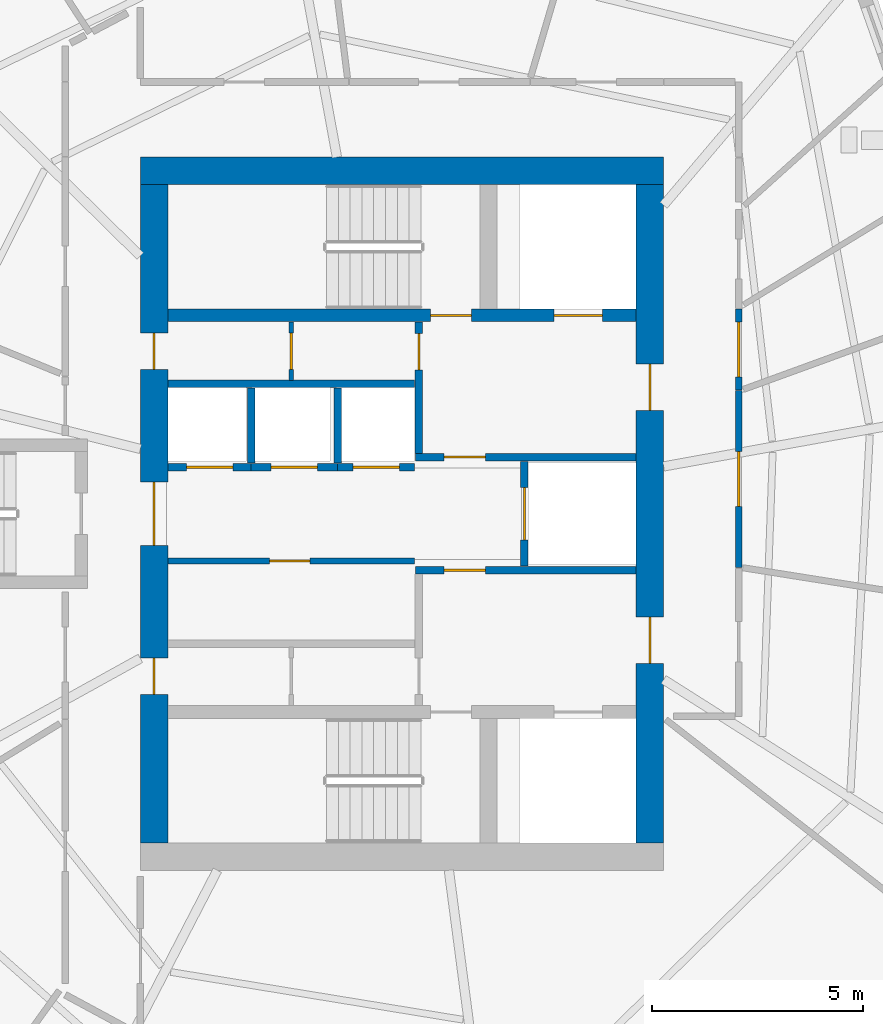
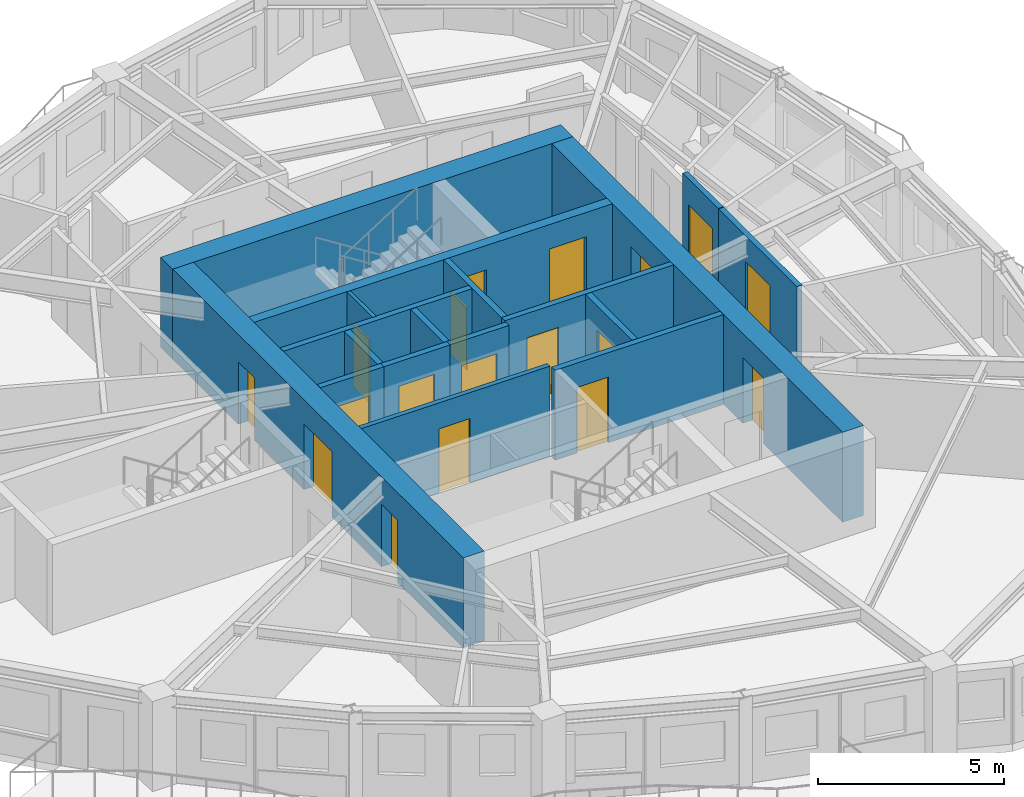
# One storey, part 5 of 12: 18 doors, 18 walls, 18 openings.
"""IFC4 building model written with IfcOpenShell, lengths in metres."""

import ifcopenshell
import ifcopenshell.guid

model = None  # the IFC model being written
_history = None  # IfcOwnerHistory: only IFC2X3 demands one
_inside = {}  # id of a spatial element -> (the spatial element, [elements in it])
_under = {}  # id of a project, library or spatial element -> (it, [spatial elements below it])
_declared = {}  # id of a project -> (the project, [libraries it declares])
_typed = {}  # id of a type object -> (the type object, [elements of that type])
_made_of = {}  # id of a material, layer set ... -> (it, [elements and type objects made of it])


def new_model(schema):
    """Start an empty IFC model of exactly this schema.

    Asked for "IFC4X3", IfcOpenShell would pick the latest addendum, in which some entities
    have other attributes; the version numbers below select the first issue.
    IFC2X3 requires an IfcOwnerHistory on every rooted entity: one is made here for all.
    """
    global model, _history
    if schema == "IFC4X3":
        model = ifcopenshell.file(schema_version=(4, 3, 0, 0))
    else:
        model = ifcopenshell.file(schema=schema)
    _inside.clear()
    _under.clear()
    _declared.clear()
    _typed.clear()
    _made_of.clear()
    _history = None
    if model.schema == "IFC2X3":
        org = make("IfcOrganization", Name="unknown")
        user = make(
            "IfcPersonAndOrganization",
            ThePerson=make("IfcPerson", FamilyName="unknown"),
            TheOrganization=org,
        )
        app = make(
            "IfcApplication",
            ApplicationDeveloper=org,
            Version="unknown",
            ApplicationFullName="unknown",
            ApplicationIdentifier="unknown",
        )
        _history = make(
            "IfcOwnerHistory",
            OwningUser=user,
            OwningApplication=app,
            ChangeAction="ADDED",
            CreationDate=0,
        )
    return model


def make(cls, **values):
    """One entity of the class cls with the attributes given. An attribute that is None is left unset."""
    return model.create_entity(
        cls, **{name: value for name, value in values.items() if value is not None}
    )


def rooted(cls, **values):
    """An entity with a GlobalId (a new one), such as an element, a storey or a relation."""
    return make(cls, GlobalId=ifcopenshell.guid.new(), OwnerHistory=_history, **values)


def si_unit(unit_type, name, prefix=None):
    """IfcSIUnit, for example si_unit("LENGTHUNIT", "METRE", prefix="MILLI")."""
    return make("IfcSIUnit", UnitType=unit_type, Prefix=prefix, Name=name)


def assignment(units):
    """IfcUnitAssignment: the units of a project."""
    return None if units is None else make("IfcUnitAssignment", Units=units)


def point(xyz):
    """IfcCartesianPoint."""
    return None if xyz is None else make("IfcCartesianPoint", Coordinates=xyz)


def direction(xyz):
    """IfcDirection."""
    return None if xyz is None else make("IfcDirection", DirectionRatios=xyz)


def frame(location, z_axis=None, x_axis=None):
    """IfcAxis2Placement3D, a coordinate frame: its origin and axes. An axis left out is left unset."""
    return make(
        "IfcAxis2Placement3D",
        Location=point(location),
        Axis=direction(z_axis),
        RefDirection=direction(x_axis),
    )


def frame_2d(location, x_axis=None):
    """IfcAxis2Placement2D, a coordinate frame in the plane: its origin and x axis."""
    return make(
        "IfcAxis2Placement2D", Location=point(location), RefDirection=direction(x_axis)
    )


def origin():
    """The frame at (0, 0, 0) with its axes left unset."""
    return frame((0.0, 0.0, 0.0))


def place(relative_to, where):
    """IfcLocalPlacement: puts the frame where relative to a parent placement (None: the world)."""
    return make(
        "IfcLocalPlacement", PlacementRelTo=relative_to, RelativePlacement=where
    )


def context(
    kind, dimensions, precision=None, world=None, true_north=None, identifier=None
):
    """IfcGeometricRepresentationContext, for example the 3D "Model" context."""
    return make(
        "IfcGeometricRepresentationContext",
        ContextIdentifier=identifier,
        ContextType=kind,
        CoordinateSpaceDimension=dimensions,
        Precision=precision,
        WorldCoordinateSystem=world,
        TrueNorth=true_north,
    )


def subcontext(parent, identifier, kind, view, scale=None):
    """IfcGeometricRepresentationSubContext, for example "Body" below "Model"."""
    return make(
        "IfcGeometricRepresentationSubContext",
        ContextIdentifier=identifier,
        ContextType=kind,
        ParentContext=parent,
        TargetScale=scale,
        TargetView=view,
    )


def project(units=None, contexts=None):
    """IfcProject with its units and contexts."""
    return rooted(
        "IfcProject",
        Name="project",
        RepresentationContexts=contexts,
        UnitsInContext=assignment(units),
    )


def spatial(cls, under=None, at=None, **own):
    """A site, building, storey or space (cls), placed at a placement, below another one or the project."""
    s = rooted(cls, ObjectPlacement=at, **own)
    if under is not None:
        _under.setdefault(under.id(), (under, []))[1].append(s)
    return s


def profile(cls, at=None, kind="AREA", **sizes):
    """A parametric profile (cls). Its sizes go by their IFC names, for example OverallWidth=200.0."""
    return make(cls, ProfileType=kind, Position=at, **sizes)


def rectangle(**sizes):
    """IfcRectangleProfileDef."""
    return profile("IfcRectangleProfileDef", **sizes)


def extrude(swept, where, along, depth):
    """IfcExtrudedAreaSolid: the profile swept, set in the frame where, extruded along a direction by depth."""
    return make(
        "IfcExtrudedAreaSolid",
        SweptArea=swept,
        Position=where,
        ExtrudedDirection=direction(along),
        Depth=depth,
    )


def shape(context_of_items, identifier, shape_type, items):
    """IfcShapeRepresentation: the items that make up one representation, for example the "Body"."""
    return make(
        "IfcShapeRepresentation",
        ContextOfItems=context_of_items,
        RepresentationIdentifier=identifier,
        RepresentationType=shape_type,
        Items=items,
    )


def source(mapping_origin, context_of_items, identifier, shape_type, items):
    """IfcRepresentationMap: a shape defined once, which mapped items show again and again."""
    return make(
        "IfcRepresentationMap",
        MappingOrigin=mapping_origin,
        MappedRepresentation=shape(context_of_items, identifier, shape_type, items),
    )


def transform(
    local_origin,
    x_axis=None,
    y_axis=None,
    z_axis=None,
    scale=None,
    scale2=None,
    scale3=None,
    uniform=True,
):
    """IfcCartesianTransformationOperator3D, or its non-uniform kind. x_axis, y_axis, z_axis: its Axis1, 2, 3."""
    if uniform:
        return make(
            "IfcCartesianTransformationOperator3D",
            Axis1=direction(x_axis),
            Axis2=direction(y_axis),
            LocalOrigin=point(local_origin),
            Scale=scale,
            Axis3=direction(z_axis),
        )
    return make(
        "IfcCartesianTransformationOperator3DnonUniform",
        Axis1=direction(x_axis),
        Axis2=direction(y_axis),
        LocalOrigin=point(local_origin),
        Scale=scale,
        Axis3=direction(z_axis),
        Scale2=scale2,
        Scale3=scale3,
    )


def mapped(mapping_source, mapping_target):
    """IfcMappedItem: shows the shape of a source again, moved by a transform."""
    return make(
        "IfcMappedItem", MappingSource=mapping_source, MappingTarget=mapping_target
    )


def material(Name=None, Category=None):
    """IfcMaterial."""
    return make("IfcMaterial", Name=Name, Category=Category)


def layer(
    of_material, thickness, ventilated=None, Name=None, Category=None, Priority=None
):
    """IfcMaterialLayer: one layer of a wall or slab, of a material (None: an air gap)."""
    return make(
        "IfcMaterialLayer",
        Material=of_material,
        LayerThickness=thickness,
        IsVentilated=ventilated,
        Name=Name,
        Category=Category,
        Priority=Priority,
    )


def layer_set(layers, Name=None):
    """IfcMaterialLayerSet."""
    return make("IfcMaterialLayerSet", MaterialLayers=layers, LayerSetName=Name)


def made_of(thing, what):
    """Note that an element or type object is made of a material, layer set ...; save() writes the relation."""
    if what is not None:
        _made_of.setdefault(what.id(), (what, []))[1].append(thing)
    return thing


def type_object(cls, material=None, **own):
    """A type object (cls), such as IfcWallType, which elements share."""
    return made_of(rooted(cls, **own), material)


def element(
    cls,
    number,
    at=None,
    inside=None,
    cuts=None,
    type_object=None,
    material=None,
    context=None,
    identifier="Body",
    shape_type=None,
    held_by="IfcProductDefinitionShape",
    body=None,
    shapes=None,
    **own,
):
    """One element of the class cls, such as IfcWall. Its Tag is "e" and its number.

    at: its placement. inside: the storey or other place that contains it. cuts: it is an
    opening in that element (IfcRelVoidsElement). A single representation is given by context,
    identifier, shape_type and body (its items); several are given by shapes. held_by: the class
    of the entity that holds the representations. save() writes the other relations.
    """
    e = rooted(cls, Tag="e%d" % number, ObjectPlacement=at, **own)
    if body is not None:
        shapes = [shape(context, identifier, shape_type, body)]
    if shapes is not None:
        e.Representation = make(held_by, Representations=shapes)
    if inside is not None:
        _inside.setdefault(inside.id(), (inside, []))[1].append(e)
    if cuts is not None:
        rooted(
            "IfcRelVoidsElement", RelatingBuildingElement=cuts, RelatedOpeningElement=e
        )
    if type_object is not None:
        _typed.setdefault(type_object.id(), (type_object, []))[1].append(e)
    return made_of(e, material)


def fill(opening, filler):
    """IfcRelFillsElement: the door or window that sits in an opening."""
    return rooted(
        "IfcRelFillsElement",
        RelatingOpeningElement=opening,
        RelatedBuildingElement=filler,
    )


def aggregate(whole, parts):
    """IfcRelAggregates: a whole, such as a stair, and the parts it consists of."""
    return rooted("IfcRelAggregates", RelatingObject=whole, RelatedObjects=parts)


def save(model, path):
    """Write the relations noted so far, then the file.

    IfcRelAggregates (storeys below a building ...), IfcRelContainedInSpatialStructure (elements
    in a storey), IfcRelDefinesByType, IfcRelAssociatesMaterial and IfcRelDeclares: one each for
    every whole, place, type object, material and project.
    """
    for whole, parts in _under.values():
        aggregate(whole, parts)
    for where, things in _inside.values():
        rooted(
            "IfcRelContainedInSpatialStructure",
            RelatedElements=things,
            RelatingStructure=where,
        )
    for kind, things in _typed.values():
        rooted("IfcRelDefinesByType", RelatedObjects=things, RelatingType=kind)
    for what, things in _made_of.values():
        rooted("IfcRelAssociatesMaterial", RelatedObjects=things, RelatingMaterial=what)
    for by, libraries in _declared.values():
        rooted("IfcRelDeclares", RelatingContext=by, RelatedDefinitions=libraries)
    model.write(path)


model = new_model("IFC4")

# Units and contexts
model_context = context("Model", 3, precision=1e-05, world=origin(), true_north=direction((0.0, 1.0)))
body_context = subcontext(model_context, "Body", "Model", "MODEL_VIEW")
ifc_project = project(units=[si_unit("LENGTHUNIT", "METRE"), si_unit("AREAUNIT", "SQUARE_METRE"), si_unit("VOLUMEUNIT", "CUBIC_METRE"), si_unit("PLANEANGLEUNIT", "RADIAN"), si_unit("MASSUNIT", "GRAM", prefix="KILO")], contexts=[model_context])

# Site, building, storey
site_placement = place(None, origin())
site = spatial("IfcSite", under=ifc_project, at=site_placement, CompositionType="ELEMENT")
building_placement = place(site_placement, origin())
building = spatial("IfcBuilding", under=site, at=building_placement, Name="Qafzar Sky-Pleat Residences", CompositionType="ELEMENT")
storey_placement = place(building_placement, frame((0.0, 0.0, 171.39990234375)))
storey = spatial("IfcBuildingStorey", under=building, at=storey_placement, Name="L51", CompositionType="ELEMENT", Elevation=171.39990234375)

# Wall, opening, door
ifc_material_1 = material(Name="Acoustic gypsum plasterboard partition", Category="gypsum")
ifc_layer_1 = layer(ifc_material_1, 0.159912109375)
ifc_layer_set_1 = layer_set([ifc_layer_1], Name="Acoustic gypsum plasterboard partition")
wall_type_1 = type_object("IfcWallType", Name="PART-COR-160", PredefinedType="PARTITIONING", material=ifc_layer_set_1)
wall_1_placement = place(storey_placement, frame((38.330078125, 28.9208984375, 0.0), z_axis=(0.0, 0.0, 1.0), x_axis=(0.0, -1.0, 0.0)))
wall_1 = element("IfcWall", 1, at=wall_1_placement, inside=storey, type_object=wall_type_1, Name="L51 Partition Wall PART-L51-PW-005", PredefinedType="PARTITIONING", context=body_context, shape_type="SweptSolid", body=[
    extrude(rectangle(XDim=4.200927734375, YDim=0.159912109375, at=frame_2d((2.1005859375, 0.0))), origin(), (0.0, 0.0, 1.0), 2.9501953125),
])
opening_1_placement = place(wall_1_placement, frame((1.450927734375, 0.0, 0.0)))
opening_1 = element("IfcOpeningElement", 2, at=opening_1_placement, cuts=wall_1, Name="Opening ID-05", PredefinedType="OPENING", context=body_context, shape_type="SweptSolid", body=[
    extrude(rectangle(XDim=1.300048828125, YDim=2.10009765625, at=frame_2d((0.64990234375, 1.050048828125))), frame((0.0, 0.08984375, 0.0), z_axis=(0.0, -1.0, 0.0), x_axis=(1.0, 0.0, 0.0)), (0.0, 0.0, 1.0), 0.179931640625),
])
ifc_material_2 = material(Name="Timber-faced fire door", Category="wood")
door_type_1 = type_object("IfcDoorType", Name="DR-LNG-1300", OperationType="DOUBLE_DOOR_SINGLE_SWING", PredefinedType="DOOR", material=ifc_material_2)
shared_shape_1 = source(origin(), body_context, "Body", "SweptSolid", [
    extrude(rectangle(XDim=1.300048828125, YDim=2.10009765625, at=frame_2d((0.64990234375, 1.050048828125))), frame((0.0, 0.02490234375, 0.0), z_axis=(0.0, -1.0, 0.0), x_axis=(1.0, 0.0, 0.0)), (0.0, 0.0, 1.0), 0.050048828125),
])
door_1_placement = place(opening_1_placement, origin())
door_1 = element("IfcDoor", 3, at=door_1_placement, inside=storey, type_object=door_type_1, Name="L51 Co-Living Lounge Door", OperationType="DOUBLE_DOOR_SINGLE_SWING", OverallHeight=2.10009765625, OverallWidth=1.300048828125, PredefinedType="DOOR", context=body_context, shape_type="MappedRepresentation", body=[
    mapped(shared_shape_1, transform((0.0, 0.0, 0.0), x_axis=(1.0, 0.0, 0.0), y_axis=(0.0, 1.0, 0.0), z_axis=(0.0, 0.0, 1.0), scale=1.0)),
])
fill(opening_1, door_1)

wall_2_placement = place(storey_placement, frame((38.330078125, 30.847900390625, 0.0), z_axis=(0.0, 0.0, 1.0), x_axis=(0.0, -1.0, 0.0)))
wall_2 = element("IfcWall", 4, at=wall_2_placement, inside=storey, type_object=wall_type_1, Name="L51 Partition Wall PART-L51-PW-011", PredefinedType="PARTITIONING", context=body_context, shape_type="SweptSolid", body=[
    extrude(rectangle(XDim=1.911865234375, YDim=0.159912109375, at=frame_2d((0.9560546875, 0.0))), origin(), (0.0, 0.0, 1.0), 2.9501953125),
])
opening_2_placement = place(wall_2_placement, frame((0.304931640625, 0.0, 0.0)))
opening_2 = element("IfcOpeningElement", 5, at=opening_2_placement, cuts=wall_2, Name="Opening ID-05", PredefinedType="OPENING", context=body_context, shape_type="SweptSolid", body=[
    extrude(rectangle(XDim=1.300048828125, YDim=2.10009765625, at=frame_2d((0.64990234375, 1.050048828125))), frame((0.0, 0.08984375, 0.0), z_axis=(0.0, -1.0, 0.0), x_axis=(1.0, 0.0, 0.0)), (0.0, 0.0, 1.0), 0.179931640625),
])
door_2_placement = place(opening_2_placement, origin())
door_2 = element("IfcDoor", 6, at=door_2_placement, inside=storey, type_object=door_type_1, Name="L51 Scholar Study Room Door", OperationType="DOUBLE_DOOR_SINGLE_SWING", OverallHeight=2.10009765625, OverallWidth=1.300048828125, PredefinedType="DOOR", context=body_context, shape_type="MappedRepresentation", body=[
    mapped(shared_shape_1, transform((0.0, 0.0, 0.0), x_axis=(1.0, 0.0, 0.0), y_axis=(0.0, 1.0, 0.0), z_axis=(0.0, 0.0, 1.0), scale=1.0)),
])
fill(opening_2, door_2)

ifc_material_3 = material(Name="Concrete blockwork partition", Category="masonry")
ifc_layer_2 = layer(ifc_material_3, 0.179931640625)
ifc_layer_set_2 = layer_set([ifc_layer_2], Name="Concrete blockwork partition")
wall_type_2 = type_object("IfcWallType", Name="PART-SHAFT-180", PredefinedType="PARTITIONING", material=ifc_layer_set_2)
wall_3_placement = place(storey_placement, frame((30.669921875, 24.659912109375, 0.0), z_axis=(0.0, 0.0, 1.0), x_axis=(1.0, 0.0, 0.0)))
wall_3 = element("IfcWall", 7, at=wall_3_placement, inside=storey, type_object=wall_type_2, Name="L51 Partition Wall PART-L51-FFL1-N", PredefinedType="PARTITIONING", context=body_context, shape_type="SweptSolid", body=[
    extrude(rectangle(XDim=5.219970703125, YDim=0.179931640625, at=frame_2d((2.60986328125, 0.0))), origin(), (0.0, 0.0, 1.0), 2.9501953125),
])
opening_3_placement = place(wall_3_placement, frame((0.679931640625, 0.0, 0.0)))
opening_3 = element("IfcOpeningElement", 8, at=opening_3_placement, cuts=wall_3, Name="Opening ID-01", PredefinedType="OPENING", context=body_context, shape_type="SweptSolid", body=[
    extrude(rectangle(XDim=0.97998046875, YDim=2.14990234375, at=frame_2d((0.489990234375, 1.074951171875))), frame((0.0, 0.10009765625, 0.0), z_axis=(0.0, -1.0, 0.0), x_axis=(1.0, 0.0, 0.0)), (0.0, 0.0, 1.0), 0.199951171875),
])
door_type_2 = type_object("IfcDoorType", Name="DR-STAIR-980", OperationType="NOTDEFINED", PredefinedType="DOOR", material=ifc_material_2)
shared_shape_2 = source(origin(), body_context, "Body", "SweptSolid", [
    extrude(rectangle(XDim=0.97998046875, YDim=2.14990234375, at=frame_2d((0.489990234375, 1.074951171875))), frame((0.0, 0.02490234375, 0.0), z_axis=(0.0, -1.0, 0.0), x_axis=(1.0, 0.0, 0.0)), (0.0, 0.0, 1.0), 0.050048828125),
])
door_3_placement = place(opening_3_placement, origin())
door_3 = element("IfcDoor", 9, at=door_3_placement, inside=storey, type_object=door_type_2, Name="L51 Lift Lobby to South Firefighting Lobby Door", OperationType="SINGLE_SWING_LEFT", OverallHeight=2.14990234375, OverallWidth=0.97998046875, PredefinedType="DOOR", context=body_context, shape_type="MappedRepresentation", body=[
    mapped(shared_shape_2, transform((0.0, 0.0, 0.0), x_axis=(1.0, 0.0, 0.0), y_axis=(0.0, 1.0, 0.0), z_axis=(0.0, 0.0, 1.0), scale=1.0)),
])
fill(opening_3, door_3)

wall_4_placement = place(storey_placement, frame((30.75, 27.429931640625, 0.0), z_axis=(0.0, 0.0, 1.0), x_axis=(0.0, 1.0, 0.0)))
wall_4 = element("IfcWall", 10, at=wall_4_placement, inside=storey, type_object=wall_type_2, Name="L51 Partition Wall PART-L51-FFL2-W", PredefinedType="PARTITIONING", context=body_context, shape_type="SweptSolid", body=[
    extrude(rectangle(XDim=3.110107421875, YDim=0.179931640625, at=frame_2d((1.55517578125, 0.0))), origin(), (0.0, 0.0, 1.0), 2.9501953125),
])
opening_4_placement = place(wall_4_placement, frame((1.97998046875, 0.0, 0.0)))
opening_4 = element("IfcOpeningElement", 11, at=opening_4_placement, cuts=wall_4, Name="Opening ID-09", PredefinedType="OPENING", context=body_context, shape_type="SweptSolid", body=[
    extrude(rectangle(XDim=0.860107421875, YDim=2.050048828125, at=frame_2d((0.43017578125, 1.02490234375))), frame((0.0, 0.10009765625, 0.0), z_axis=(0.0, -1.0, 0.0), x_axis=(1.0, 0.0, 0.0)), (0.0, 0.0, 1.0), 0.199951171875),
])
door_type_3 = type_object("IfcDoorType", Name="DR-SVC-860", OperationType="NOTDEFINED", PredefinedType="DOOR", material=ifc_material_2)
shared_shape_3 = source(origin(), body_context, "Body", "SweptSolid", [
    extrude(rectangle(XDim=0.860107421875, YDim=2.050048828125, at=frame_2d((0.43017578125, 1.02490234375))), frame((0.0, 0.02490234375, 0.0), z_axis=(0.0, -1.0, 0.0), x_axis=(1.0, 0.0, 0.0)), (0.0, 0.0, 1.0), 0.050048828125),
])
door_4_placement = place(opening_4_placement, origin())
door_4 = element("IfcDoor", 12, at=door_4_placement, inside=storey, type_object=door_type_3, Name="L51 North Core Cupboard Door", OperationType="SINGLE_SWING_RIGHT", OverallHeight=2.050048828125, OverallWidth=0.860107421875, PredefinedType="DOOR", context=body_context, shape_type="MappedRepresentation", body=[
    mapped(shared_shape_3, transform((0.0, 0.0, 0.0), x_axis=(1.0, 0.0, 0.0), y_axis=(0.0, 1.0, 0.0), z_axis=(0.0, 0.0, 1.0), scale=1.0)),
])
fill(opening_4, door_4)

wall_5_placement = place(storey_placement, frame((30.669921875, 27.340087890625, 0.0), z_axis=(0.0, 0.0, 1.0), x_axis=(1.0, 0.0, 0.0)))
wall_5 = element("IfcWall", 13, at=wall_5_placement, inside=storey, type_object=wall_type_2, Name="L51 Partition Wall PART-L51-FFL2-S", PredefinedType="PARTITIONING", context=body_context, shape_type="SweptSolid", body=[
    extrude(rectangle(XDim=5.219970703125, YDim=0.179931640625, at=frame_2d((2.60986328125, 0.0))), origin(), (0.0, 0.0, 1.0), 2.9501953125),
])
opening_5_placement = place(wall_5_placement, frame((0.679931640625, 0.0, 0.0)))
opening_5 = element("IfcOpeningElement", 14, at=opening_5_placement, cuts=wall_5, Name="Opening ID-01", PredefinedType="OPENING", context=body_context, shape_type="SweptSolid", body=[
    extrude(rectangle(XDim=0.97998046875, YDim=2.14990234375, at=frame_2d((0.489990234375, 1.074951171875))), frame((0.0, 0.10009765625, 0.0), z_axis=(0.0, -1.0, 0.0), x_axis=(1.0, 0.0, 0.0)), (0.0, 0.0, 1.0), 0.199951171875),
])
door_5_placement = place(opening_5_placement, origin())
door_5 = element("IfcDoor", 15, at=door_5_placement, inside=storey, type_object=door_type_2, Name="L51 Lift Lobby to North Firefighting Lobby Door", OperationType="SINGLE_SWING_LEFT", OverallHeight=2.14990234375, OverallWidth=0.97998046875, PredefinedType="DOOR", context=body_context, shape_type="MappedRepresentation", body=[
    mapped(shared_shape_2, transform((0.0, 0.0, 0.0), x_axis=(1.0, 0.0, 0.0), y_axis=(0.0, 1.0, 0.0), z_axis=(0.0, 0.0, 1.0), scale=1.0)),
])
fill(opening_5, door_5)

wall_6_placement = place(storey_placement, frame((33.25, 24.760009765625, 0.0), z_axis=(0.0, 0.0, 1.0), x_axis=(0.0, 1.0, 0.0)))
wall_6 = element("IfcWall", 16, at=wall_6_placement, inside=storey, type_object=wall_type_2, Name="L51 Partition Wall PART-L51-SV1-W", PredefinedType="PARTITIONING", context=body_context, shape_type="SweptSolid", body=[
    extrude(rectangle(XDim=2.47998046875, YDim=0.179931640625, at=frame_2d((1.239990234375, 0.0))), origin(), (0.0, 0.0, 1.0), 2.9501953125),
])
opening_6_placement = place(wall_6_placement, frame((0.614990234375, 0.0, 0.0)))
opening_6 = element("IfcOpeningElement", 17, at=opening_6_placement, cuts=wall_6, Name="Opening LD-03", PredefinedType="OPENING", context=body_context, shape_type="SweptSolid", body=[
    extrude(rectangle(XDim=1.25, YDim=2.14990234375, at=frame_2d((0.625, 1.074951171875))), frame((0.0, 0.10009765625, 0.0), z_axis=(0.0, -1.0, 0.0), x_axis=(1.0, 0.0, 0.0)), (0.0, 0.0, 1.0), 0.199951171875),
])
ifc_material_4 = material(Name="Stainless steel sliding landing door", Category="steel")
door_type_4 = type_object("IfcDoorType", Name="DR-LIFT-SV", OperationType="DOUBLE_DOOR_SLIDING", PredefinedType="DOOR", material=ifc_material_4)
shared_shape_4 = source(origin(), body_context, "Body", "SweptSolid", [
    extrude(rectangle(XDim=1.25, YDim=2.14990234375, at=frame_2d((0.625, 1.074951171875))), frame((0.0, 0.02490234375, 0.0), z_axis=(0.0, -1.0, 0.0), x_axis=(1.0, 0.0, 0.0)), (0.0, 0.0, 1.0), 0.050048828125),
])
door_6_placement = place(opening_6_placement, origin())
door_6 = element("IfcDoor", 18, at=door_6_placement, inside=storey, type_object=door_type_4, Name="L51 Service Lift SV1 Landing Door", OperationType="DOUBLE_DOOR_SLIDING", OverallHeight=2.14990234375, OverallWidth=1.25, PredefinedType="DOOR", context=body_context, shape_type="MappedRepresentation", body=[
    mapped(shared_shape_4, transform((0.0, 0.0, 0.0), x_axis=(1.0, 0.0, 0.0), y_axis=(0.0, 1.0, 0.0), z_axis=(0.0, 0.0, 1.0), scale=1.0)),
])
fill(opening_6, door_6)

# Wall
wall_7_placement = place(storey_placement, frame((24.81005859375, 29.080078125, 0.0), z_axis=(0.0, 0.0, 1.0), x_axis=(1.0, 0.0, 0.0)))
element("IfcWall", 19, at=wall_7_placement, inside=storey, type_object=wall_type_2, Name="L51 Partition Wall PART-L51-P46-N", PredefinedType="PARTITIONING", context=body_context, shape_type="SweptSolid", body=[
    extrude(rectangle(XDim=5.83984375, YDim=0.179931640625, at=frame_2d((2.919921875, 0.0))), origin(), (0.0, 0.0, 1.0), 2.9501953125),
])

# Wall, opening, door
wall_8_placement = place(storey_placement, frame((24.81005859375, 27.10009765625, 0.0), z_axis=(0.0, 0.0, 1.0), x_axis=(1.0, 0.0, 0.0)))
wall_8 = element("IfcWall", 20, at=wall_8_placement, inside=storey, type_object=wall_type_2, Name="L51 Partition Wall PART-L51-P4-S", PredefinedType="PARTITIONING", context=body_context, shape_type="SweptSolid", body=[
    extrude(rectangle(XDim=1.96484375, YDim=0.179931640625, at=frame_2d((0.982421875, 0.0))), origin(), (0.0, 0.0, 1.0), 2.9501953125),
])
opening_7_placement = place(wall_8_placement, frame((0.4326171875, 0.0, 0.0)))
opening_7 = element("IfcOpeningElement", 21, at=opening_7_placement, cuts=wall_8, Name="Opening LD-01", PredefinedType="OPENING", context=body_context, shape_type="SweptSolid", body=[
    extrude(rectangle(XDim=1.10009765625, YDim=2.14990234375, at=frame_2d((0.550048828125, 1.074951171875))), frame((0.0, 0.10009765625, 0.0), z_axis=(0.0, -1.0, 0.0), x_axis=(1.0, 0.0, 0.0)), (0.0, 0.0, 1.0), 0.199951171875),
])
door_type_5 = type_object("IfcDoorType", Name="DR-LIFT-P", OperationType="DOUBLE_DOOR_SLIDING", PredefinedType="DOOR", material=ifc_material_4)
shared_shape_5 = source(origin(), body_context, "Body", "SweptSolid", [
    extrude(rectangle(XDim=1.10009765625, YDim=2.14990234375, at=frame_2d((0.550048828125, 1.074951171875))), frame((0.0, 0.02490234375, 0.0), z_axis=(0.0, -1.0, 0.0), x_axis=(1.0, 0.0, 0.0)), (0.0, 0.0, 1.0), 0.050048828125),
])
door_7_placement = place(opening_7_placement, origin())
door_7 = element("IfcDoor", 22, at=door_7_placement, inside=storey, type_object=door_type_5, Name="L51 Passenger Lift P4 Landing Door", OperationType="DOUBLE_DOOR_SLIDING", OverallHeight=2.14990234375, OverallWidth=1.10009765625, PredefinedType="DOOR", context=body_context, shape_type="MappedRepresentation", body=[
    mapped(shared_shape_5, transform((0.0, 0.0, 0.0), x_axis=(1.0, 0.0, 0.0), y_axis=(0.0, 1.0, 0.0), z_axis=(0.0, 0.0, 1.0), scale=1.0)),
])
fill(opening_7, door_7)

wall_9_placement = place(storey_placement, frame((26.77490234375, 27.10009765625, 0.0), z_axis=(0.0, 0.0, 1.0), x_axis=(1.0, 0.0, 0.0)))
wall_9 = element("IfcWall", 23, at=wall_9_placement, inside=storey, type_object=wall_type_2, Name="L51 Partition Wall PART-L51-P5-S", PredefinedType="PARTITIONING", context=body_context, shape_type="SweptSolid", body=[
    extrude(rectangle(XDim=2.050048828125, YDim=0.179931640625, at=frame_2d((1.02490234375, 0.0))), origin(), (0.0, 0.0, 1.0), 2.9501953125),
])
opening_8_placement = place(wall_9_placement, frame((0.47509765625, 0.0, 0.0)))
opening_8 = element("IfcOpeningElement", 24, at=opening_8_placement, cuts=wall_9, Name="Opening LD-01", PredefinedType="OPENING", context=body_context, shape_type="SweptSolid", body=[
    extrude(rectangle(XDim=1.10009765625, YDim=2.14990234375, at=frame_2d((0.550048828125, 1.074951171875))), frame((0.0, 0.10009765625, 0.0), z_axis=(0.0, -1.0, 0.0), x_axis=(1.0, 0.0, 0.0)), (0.0, 0.0, 1.0), 0.199951171875),
])
door_8_placement = place(opening_8_placement, origin())
door_8 = element("IfcDoor", 25, at=door_8_placement, inside=storey, type_object=door_type_5, Name="L51 Passenger Lift P5 Landing Door", OperationType="DOUBLE_DOOR_SLIDING", OverallHeight=2.14990234375, OverallWidth=1.10009765625, PredefinedType="DOOR", context=body_context, shape_type="MappedRepresentation", body=[
    mapped(shared_shape_5, transform((0.0, 0.0, 0.0), x_axis=(1.0, 0.0, 0.0), y_axis=(0.0, 1.0, 0.0), z_axis=(0.0, 0.0, 1.0), scale=1.0)),
])
fill(opening_8, door_8)

# Wall
wall_10_placement = place(storey_placement, frame((26.77490234375, 27.199951171875, 0.0), z_axis=(0.0, 0.0, 1.0), x_axis=(0.0, 1.0, 0.0)))
element("IfcWall", 26, at=wall_10_placement, inside=storey, type_object=wall_type_2, Name="L51 Partition Wall PART-L51-P46-DIV-1", PredefinedType="PARTITIONING", context=body_context, shape_type="SweptSolid", body=[
    extrude(rectangle(XDim=1.780029296875, YDim=0.179931640625, at=frame_2d((0.89013671875, 0.0))), origin(), (0.0, 0.0, 1.0), 2.9501953125),
])

# Wall, opening, door
wall_11_placement = place(storey_placement, frame((28.824951171875, 27.10009765625, 0.0), z_axis=(0.0, 0.0, 1.0), x_axis=(1.0, 0.0, 0.0)))
wall_11 = element("IfcWall", 27, at=wall_11_placement, inside=storey, type_object=wall_type_2, Name="L51 Partition Wall PART-L51-P6-S", PredefinedType="PARTITIONING", context=body_context, shape_type="SweptSolid", body=[
    extrude(rectangle(XDim=1.824951171875, YDim=0.179931640625, at=frame_2d((0.91259765625, 0.0))), origin(), (0.0, 0.0, 1.0), 2.9501953125),
])
opening_9_placement = place(wall_11_placement, frame((0.362548828125, 0.0, 0.0)))
opening_9 = element("IfcOpeningElement", 28, at=opening_9_placement, cuts=wall_11, Name="Opening LD-01", PredefinedType="OPENING", context=body_context, shape_type="SweptSolid", body=[
    extrude(rectangle(XDim=1.10009765625, YDim=2.14990234375, at=frame_2d((0.550048828125, 1.074951171875))), frame((0.0, 0.10009765625, 0.0), z_axis=(0.0, -1.0, 0.0), x_axis=(1.0, 0.0, 0.0)), (0.0, 0.0, 1.0), 0.199951171875),
])
door_9_placement = place(opening_9_placement, origin())
door_9 = element("IfcDoor", 29, at=door_9_placement, inside=storey, type_object=door_type_5, Name="L51 Passenger Lift P6 Landing Door", OperationType="DOUBLE_DOOR_SLIDING", OverallHeight=2.14990234375, OverallWidth=1.10009765625, PredefinedType="DOOR", context=body_context, shape_type="MappedRepresentation", body=[
    mapped(shared_shape_5, transform((0.0, 0.0, 0.0), x_axis=(1.0, 0.0, 0.0), y_axis=(0.0, 1.0, 0.0), z_axis=(0.0, 0.0, 1.0), scale=1.0)),
])
fill(opening_9, door_9)

# Wall
wall_12_placement = place(storey_placement, frame((28.824951171875, 27.199951171875, 0.0), z_axis=(0.0, 0.0, 1.0), x_axis=(0.0, 1.0, 0.0)))
element("IfcWall", 30, at=wall_12_placement, inside=storey, type_object=wall_type_2, Name="L51 Partition Wall PART-L51-P46-DIV-2", PredefinedType="PARTITIONING", context=body_context, shape_type="SweptSolid", body=[
    extrude(rectangle(XDim=1.780029296875, YDim=0.179931640625, at=frame_2d((0.89013671875, 0.0))), origin(), (0.0, 0.0, 1.0), 2.9501953125),
])

# Wall, opening, door
ifc_material_5 = material(Name="Gypsum plasterboard partition", Category="gypsum")
ifc_layer_3 = layer(ifc_material_5, 0.114990234375)
ifc_layer_set_3 = layer_set([ifc_layer_3], Name="Gypsum plasterboard partition")
wall_type_3 = type_object("IfcWallType", Name="PART-SVC-115", PredefinedType="PARTITIONING", material=ifc_layer_set_3)
wall_13_placement = place(storey_placement, frame((27.72509765625, 29.159912109375, 0.0), z_axis=(0.0, 0.0, 1.0), x_axis=(0.0, 1.0, 0.0)))
wall_13 = element("IfcWall", 31, at=wall_13_placement, inside=storey, type_object=wall_type_3, Name="L51 Partition Wall PART-L51-KB-NW", PredefinedType="PARTITIONING", context=body_context, shape_type="SweptSolid", body=[
    extrude(rectangle(XDim=1.380126953125, YDim=0.114990234375, at=frame_2d((0.68994140625, 0.0))), origin(), (0.0, 0.0, 1.0), 2.9501953125),
])
opening_10_placement = place(wall_13_placement, frame((0.260009765625, 0.0, 0.0)))
opening_10 = element("IfcOpeningElement", 32, at=opening_10_placement, cuts=wall_13, Name="Opening ID-09", PredefinedType="OPENING", context=body_context, shape_type="SweptSolid", body=[
    extrude(rectangle(XDim=0.860107421875, YDim=2.050048828125, at=frame_2d((0.43017578125, 1.02490234375))), frame((0.0, 0.0673828125, 0.0), z_axis=(0.0, -1.0, 0.0), x_axis=(1.0, 0.0, 0.0)), (0.0, 0.0, 1.0), 0.135009765625),
])
door_10_placement = place(opening_10_placement, origin())
door_10 = element("IfcDoor", 33, at=door_10_placement, inside=storey, type_object=door_type_3, Name="L51 IT Cupboard Door", OperationType="SINGLE_SWING_RIGHT", OverallHeight=2.050048828125, OverallWidth=0.860107421875, PredefinedType="DOOR", context=body_context, shape_type="MappedRepresentation", body=[
    mapped(shared_shape_3, transform((0.0, 0.0, 0.0), x_axis=(1.0, 0.0, 0.0), y_axis=(0.0, 1.0, 0.0), z_axis=(0.0, 0.0, 1.0), scale=1.0)),
])
fill(opening_10, door_10)

ifc_layer_4 = layer(ifc_material_1, 0.14501953125)
ifc_layer_set_4 = layer_set([ifc_layer_4], Name="Acoustic gypsum plasterboard partition")
wall_type_4 = type_object("IfcWallType", Name="PART-UNIT-145", PredefinedType="PARTITIONING", material=ifc_layer_set_4)
wall_14_placement = place(storey_placement, frame((24.81005859375, 24.8798828125, 0.0), z_axis=(0.0, 0.0, 1.0), x_axis=(1.0, 0.0, 0.0)))
wall_14 = element("IfcWall", 34, at=wall_14_placement, inside=storey, type_object=wall_type_4, Name="L51 Partition Wall PART-L51-RECLAIM-N", PredefinedType="PARTITIONING", context=body_context, shape_type="SweptSolid", body=[
    extrude(rectangle(XDim=5.83984375, YDim=0.14501953125, at=frame_2d((2.919921875, 0.0))), origin(), (0.0, 0.0, 1.0), 2.9501953125),
])
opening_11_placement = place(wall_14_placement, frame((2.39990234375, 0.0, 0.0)))
opening_11 = element("IfcOpeningElement", 35, at=opening_11_placement, cuts=wall_14, Name="Opening ID-06", PredefinedType="OPENING", context=body_context, shape_type="SweptSolid", body=[
    extrude(rectangle(XDim=0.9599609375, YDim=2.10009765625, at=frame_2d((0.47998046875, 1.050048828125))), frame((0.0, 0.08251953125, 0.0), z_axis=(0.0, -1.0, 0.0), x_axis=(1.0, 0.0, 0.0)), (0.0, 0.0, 1.0), 0.1650390625),
])
door_type_6 = type_object("IfcDoorType", Name="DR-STD-960", OperationType="NOTDEFINED", PredefinedType="DOOR", material=ifc_material_2)
shared_shape_6 = source(origin(), body_context, "Body", "SweptSolid", [
    extrude(rectangle(XDim=0.9599609375, YDim=2.10009765625, at=frame_2d((0.47998046875, 1.050048828125))), frame((0.0, 0.02490234375, 0.0), z_axis=(0.0, -1.0, 0.0), x_axis=(1.0, 0.0, 0.0)), (0.0, 0.0, 1.0), 0.050048828125),
])
door_11_placement = place(opening_11_placement, origin())
door_11 = element("IfcDoor", 36, at=door_11_placement, inside=storey, type_object=door_type_6, Name="L51 Reclaimed Resident Laundry Room Door", OperationType="SINGLE_SWING_RIGHT", OverallHeight=2.10009765625, OverallWidth=0.9599609375, PredefinedType="DOOR", context=body_context, shape_type="MappedRepresentation", body=[
    mapped(shared_shape_6, transform((0.0, 0.0, 0.0), x_axis=(1.0, 0.0, 0.0), y_axis=(0.0, 1.0, 0.0), z_axis=(0.0, 0.0, 1.0), scale=1.0)),
])
fill(opening_11, door_11)

# Wall, openings, doors
ifc_material_6 = material(Name="Concrete C60/75", Category="concrete")
ifc_layer_5 = layer(ifc_material_6, 0.300048828125)
ifc_layer_set_5 = layer_set([ifc_layer_5], Name="Concrete C60/75")
wall_type_5 = type_object("IfcWallType", Name="WALL-SHEAR-300", PredefinedType="SHEAR", material=ifc_layer_set_5)
wall_15_placement = place(storey_placement, frame((24.800048828125, 30.699951171875, 0.0), z_axis=(0.0, 0.0, 1.0), x_axis=(1.0, 0.0, 0.0)))
wall_15 = element("IfcWall", 37, at=wall_15_placement, inside=storey, type_object=wall_type_5, Name="L51 Stair ST2 and FF2 Shaft South Wall", PredefinedType="SHEAR", context=body_context, shape_type="SweptSolid", body=[
    extrude(rectangle(XDim=11.099853515625, YDim=0.300048828125, at=frame_2d((5.5498046875, 0.0))), origin(), (0.0, 0.0, 1.0), 2.9501953125),
])
opening_12_placement = place(wall_15_placement, frame((6.219970703125, 0.0, 0.0)))
opening_12 = element("IfcOpeningElement", 38, at=opening_12_placement, cuts=wall_15, Name="Opening ID-01", PredefinedType="OPENING", context=body_context, shape_type="SweptSolid", body=[
    extrude(rectangle(XDim=0.97998046875, YDim=2.14990234375, at=frame_2d((0.489990234375, 1.074951171875))), frame((0.0, 0.16015625, 0.0), z_axis=(0.0, -1.0, 0.0), x_axis=(1.0, 0.0, 0.0)), (0.0, 0.0, 1.0), 0.320068359375),
])
opening_13_placement = place(wall_15_placement, frame((9.14990234375, 0.0, 0.0)))
opening_13 = element("IfcOpeningElement", 39, at=opening_13_placement, cuts=wall_15, Name="Opening LD-02", PredefinedType="OPENING", context=body_context, shape_type="SweptSolid", body=[
    extrude(rectangle(XDim=1.14990234375, YDim=2.14990234375, at=frame_2d((0.574951171875, 1.074951171875))), frame((0.0, 0.16015625, 0.0), z_axis=(0.0, -1.0, 0.0), x_axis=(1.0, 0.0, 0.0)), (0.0, 0.0, 1.0), 0.320068359375),
])
door_12_placement = place(opening_12_placement, origin())
door_12 = element("IfcDoor", 40, at=door_12_placement, inside=storey, type_object=door_type_2, Name="L51 Stair ST2 Fire Door", OperationType="SINGLE_SWING_RIGHT", OverallHeight=2.14990234375, OverallWidth=0.97998046875, PredefinedType="DOOR", context=body_context, shape_type="MappedRepresentation", body=[
    mapped(shared_shape_2, transform((0.0, 0.0, 0.0), x_axis=(1.0, 0.0, 0.0), y_axis=(0.0, 1.0, 0.0), z_axis=(0.0, 0.0, 1.0), scale=1.0)),
])
fill(opening_12, door_12)
door_type_7 = type_object("IfcDoorType", Name="DR-LIFT-FF", OperationType="DOUBLE_DOOR_SLIDING", PredefinedType="DOOR", material=ifc_material_4)
shared_shape_7 = source(origin(), body_context, "Body", "SweptSolid", [
    extrude(rectangle(XDim=1.14990234375, YDim=2.14990234375, at=frame_2d((0.574951171875, 1.074951171875))), frame((0.0, 0.02490234375, 0.0), z_axis=(0.0, -1.0, 0.0), x_axis=(1.0, 0.0, 0.0)), (0.0, 0.0, 1.0), 0.050048828125),
])
door_13_placement = place(opening_13_placement, origin())
door_13 = element("IfcDoor", 41, at=door_13_placement, inside=storey, type_object=door_type_7, Name="L51 Firefighting Lift FF2 Landing Door", OperationType="DOUBLE_DOOR_SLIDING", OverallHeight=2.14990234375, OverallWidth=1.14990234375, PredefinedType="DOOR", context=body_context, shape_type="MappedRepresentation", body=[
    mapped(shared_shape_7, transform((0.0, 0.0, 0.0), x_axis=(1.0, 0.0, 0.0), y_axis=(0.0, 1.0, 0.0), z_axis=(0.0, 0.0, 1.0), scale=1.0)),
])
fill(opening_13, door_13)

# Wall
ifc_layer_6 = layer(ifc_material_6, 0.64990234375)
ifc_layer_set_6 = layer_set([ifc_layer_6], Name="Concrete C60/75")
wall_type_6 = type_object("IfcWallType", Name="WALL-SHEAR-650", PredefinedType="SHEAR", material=ifc_layer_set_6)
wall_16_placement = place(storey_placement, frame((36.550048828125, 34.125, 0.0), z_axis=(0.0, 0.0, 1.0), x_axis=(-1.0, 0.0, 0.0)))
element("IfcWall", 42, at=wall_16_placement, inside=storey, type_object=wall_type_6, Name="L51 CORE wall N", PredefinedType="SHEAR", context=body_context, shape_type="SweptSolid", body=[
    extrude(rectangle(XDim=12.400146484375, YDim=0.64990234375, at=frame_2d((6.2001953125, 0.0))), origin(), (0.0, 0.0, 1.0), 2.9501953125),
])

# Wall, openings, doors
wall_17_placement = place(storey_placement, frame((24.47509765625, 33.800048828125, 0.0), z_axis=(0.0, 0.0, 1.0), x_axis=(0.0, -1.0, 0.0)))
wall_17 = element("IfcWall", 43, at=wall_17_placement, inside=storey, type_object=wall_type_6, Name="L51 CORE wall W", PredefinedType="SHEAR", context=body_context, shape_type="SweptSolid", body=[
    extrude(rectangle(XDim=15.60009765625, YDim=0.64990234375, at=frame_2d((7.800048828125, 0.0))), origin(), (0.0, 0.0, 1.0), 2.9501953125),
])
opening_14_placement = place(wall_17_placement, frame((7.050048828125, 0.0, 0.0)))
opening_14 = element("IfcOpeningElement", 44, at=opening_14_placement, cuts=wall_17, Name="Opening ID-03", PredefinedType="OPENING", context=body_context, shape_type="SweptSolid", body=[
    extrude(rectangle(XDim=1.5, YDim=2.14990234375, at=frame_2d((0.75, 1.074951171875))), frame((0.0, 0.3349609375, 0.0), z_axis=(0.0, -1.0, 0.0), x_axis=(1.0, 0.0, 0.0)), (0.0, 0.0, 1.0), 0.669921875),
])
opening_15_placement = place(wall_17_placement, frame((3.52001953125, 0.0, 0.0)))
opening_15 = element("IfcOpeningElement", 45, at=opening_15_placement, cuts=wall_17, Name="Opening ID-09", PredefinedType="OPENING", context=body_context, shape_type="SweptSolid", body=[
    extrude(rectangle(XDim=0.860107421875, YDim=2.050048828125, at=frame_2d((0.43017578125, 1.02490234375))), frame((0.0, 0.3349609375, 0.0), z_axis=(0.0, -1.0, 0.0), x_axis=(1.0, 0.0, 0.0)), (0.0, 0.0, 1.0), 0.669921875),
])
opening_16_placement = place(wall_17_placement, frame((11.219970703125, 0.0, 0.0)))
opening_16 = element("IfcOpeningElement", 46, at=opening_16_placement, cuts=wall_17, Name="Opening ID-09", PredefinedType="OPENING", context=body_context, shape_type="SweptSolid", body=[
    extrude(rectangle(XDim=0.860107421875, YDim=2.050048828125, at=frame_2d((0.43017578125, 1.02490234375))), frame((0.0, 0.3349609375, 0.0), z_axis=(0.0, -1.0, 0.0), x_axis=(1.0, 0.0, 0.0)), (0.0, 0.0, 1.0), 0.669921875),
])
door_type_8 = type_object("IfcDoorType", Name="DR-COR-1500", OperationType="DOUBLE_DOOR_SINGLE_SWING", PredefinedType="DOOR", material=ifc_material_2)
shared_shape_8 = source(origin(), body_context, "Body", "SweptSolid", [
    extrude(rectangle(XDim=1.5, YDim=2.14990234375, at=frame_2d((0.75, 1.074951171875))), frame((0.0, 0.02490234375, 0.0), z_axis=(0.0, -1.0, 0.0), x_axis=(1.0, 0.0, 0.0)), (0.0, 0.0, 1.0), 0.050048828125),
])
door_14_placement = place(opening_14_placement, origin())
door_14 = element("IfcDoor", 47, at=door_14_placement, inside=storey, type_object=door_type_8, Name="L51 Lift Lobby West Double Door", OperationType="DOUBLE_DOOR_SINGLE_SWING", OverallHeight=2.14990234375, OverallWidth=1.5, PredefinedType="DOOR", context=body_context, shape_type="MappedRepresentation", body=[
    mapped(shared_shape_8, transform((0.0, 0.0, 0.0), x_axis=(1.0, 0.0, 0.0), y_axis=(0.0, 1.0, 0.0), z_axis=(0.0, 0.0, 1.0), scale=1.0)),
])
fill(opening_14, door_14)
door_15_placement = place(opening_15_placement, origin())
door_15 = element("IfcDoor", 48, at=door_15_placement, inside=storey, type_object=door_type_3, Name="L51 Core North-West Service Door", OperationType="SINGLE_SWING_RIGHT", OverallHeight=2.050048828125, OverallWidth=0.860107421875, PredefinedType="DOOR", context=body_context, shape_type="MappedRepresentation", body=[
    mapped(shared_shape_3, transform((0.0, 0.0, 0.0), x_axis=(1.0, 0.0, 0.0), y_axis=(0.0, 1.0, 0.0), z_axis=(0.0, 0.0, 1.0), scale=1.0)),
])
fill(opening_15, door_15)
door_16_placement = place(opening_16_placement, origin())
door_16 = element("IfcDoor", 49, at=door_16_placement, inside=storey, type_object=door_type_3, Name="L51 Core South-West Service Door", OperationType="SINGLE_SWING_LEFT", OverallHeight=2.050048828125, OverallWidth=0.860107421875, PredefinedType="DOOR", context=body_context, shape_type="MappedRepresentation", body=[
    mapped(shared_shape_3, transform((0.0, 0.0, 0.0), x_axis=(1.0, 0.0, 0.0), y_axis=(0.0, 1.0, 0.0), z_axis=(0.0, 0.0, 1.0), scale=1.0)),
])
fill(opening_16, door_16)

wall_18_placement = place(storey_placement, frame((36.22509765625, 18.199951171875, 0.0), z_axis=(0.0, 0.0, 1.0), x_axis=(0.0, 1.0, 0.0)))
wall_18 = element("IfcWall", 50, at=wall_18_placement, inside=storey, type_object=wall_type_6, Name="L51 CORE wall E", PredefinedType="SHEAR", context=body_context, shape_type="SweptSolid", body=[
    extrude(rectangle(XDim=15.60009765625, YDim=0.64990234375, at=frame_2d((7.800048828125, 0.0))), origin(), (0.0, 0.0, 1.0), 2.9501953125),
])
opening_17_placement = place(wall_18_placement, frame((4.25, 0.0, 0.0)))
opening_17 = element("IfcOpeningElement", 51, at=opening_17_placement, cuts=wall_18, Name="Opening ID-02", PredefinedType="OPENING", context=body_context, shape_type="SweptSolid", body=[
    extrude(rectangle(XDim=1.10009765625, YDim=2.14990234375, at=frame_2d((0.550048828125, 1.074951171875))), frame((0.0, 0.3349609375, 0.0), z_axis=(0.0, -1.0, 0.0), x_axis=(1.0, 0.0, 0.0)), (0.0, 0.0, 1.0), 0.669921875),
])
opening_18_placement = place(wall_18_placement, frame((10.25, 0.0, 0.0)))
opening_18 = element("IfcOpeningElement", 52, at=opening_18_placement, cuts=wall_18, Name="Opening ID-02", PredefinedType="OPENING", context=body_context, shape_type="SweptSolid", body=[
    extrude(rectangle(XDim=1.10009765625, YDim=2.14990234375, at=frame_2d((0.550048828125, 1.074951171875))), frame((0.0, 0.3349609375, 0.0), z_axis=(0.0, -1.0, 0.0), x_axis=(1.0, 0.0, 0.0)), (0.0, 0.0, 1.0), 0.669921875),
])
door_type_9 = type_object("IfcDoorType", Name="DR-FFL-1100", OperationType="NOTDEFINED", PredefinedType="DOOR", material=ifc_material_2)
door_17_placement = place(opening_17_placement, origin())
door_17 = element("IfcDoor", 53, at=door_17_placement, inside=storey, type_object=door_type_9, Name="L51 Firefighting Lobby South Corridor Door", OperationType="SINGLE_SWING_RIGHT", OverallHeight=2.14990234375, OverallWidth=1.10009765625, PredefinedType="DOOR", context=body_context, shape_type="MappedRepresentation", body=[
    mapped(shared_shape_5, transform((0.0, 0.0, 0.0), x_axis=(1.0, 0.0, 0.0), y_axis=(0.0, 1.0, 0.0), z_axis=(0.0, 0.0, 1.0), scale=1.0)),
])
fill(opening_17, door_17)
door_18_placement = place(opening_18_placement, origin())
door_18 = element("IfcDoor", 54, at=door_18_placement, inside=storey, type_object=door_type_9, Name="L51 Firefighting Lobby North Corridor Door", OperationType="SINGLE_SWING_LEFT", OverallHeight=2.14990234375, OverallWidth=1.10009765625, PredefinedType="DOOR", context=body_context, shape_type="MappedRepresentation", body=[
    mapped(shared_shape_5, transform((0.0, 0.0, 0.0), x_axis=(1.0, 0.0, 0.0), y_axis=(0.0, 1.0, 0.0), z_axis=(0.0, 0.0, 1.0), scale=1.0)),
])
fill(opening_18, door_18)

save(model, "model.ifc")
